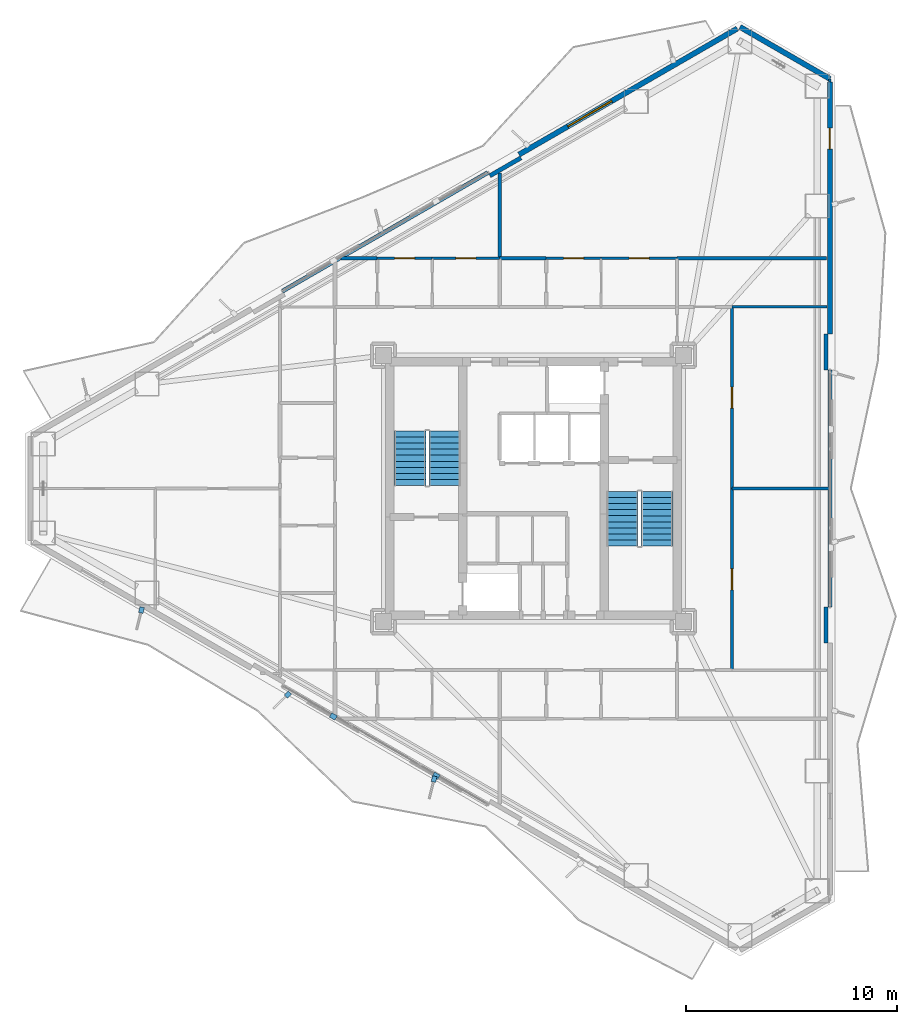
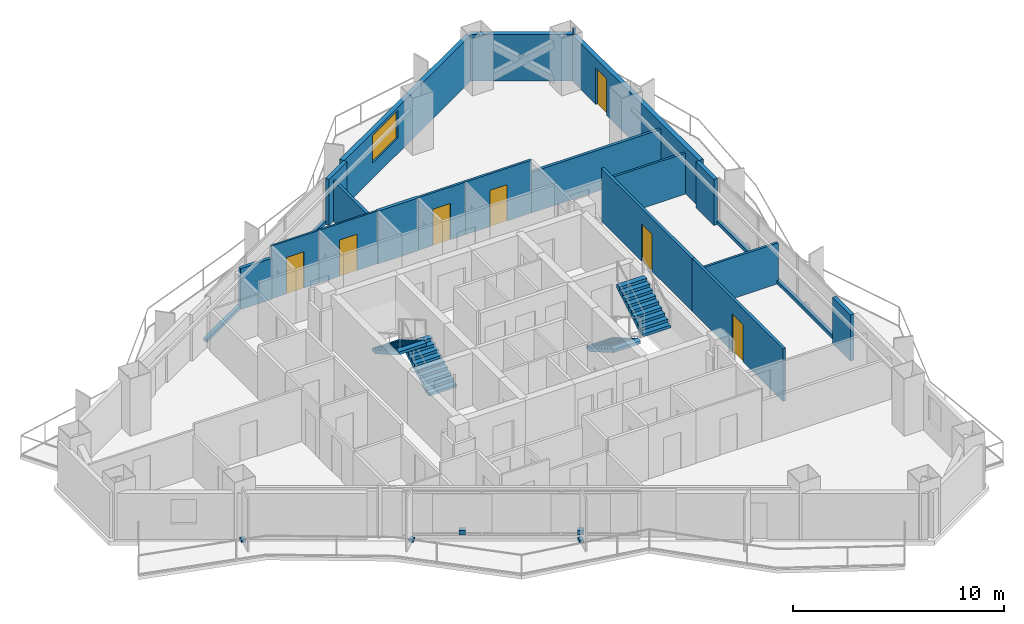
# One storey, part 19 of 22: 21 walls, 7 doors, 5 discrete accessories, 4 stair flights, 1 window, 8 openings, 2 elements without a shape of their own.
"""IFC4 building model written with IfcOpenShell, lengths in metres."""

import ifcopenshell
import ifcopenshell.guid

model = None  # the IFC model being written
_history = None  # IfcOwnerHistory: only IFC2X3 demands one
_inside = {}  # id of a spatial element -> (the spatial element, [elements in it])
_under = {}  # id of a project, library or spatial element -> (it, [spatial elements below it])
_declared = {}  # id of a project -> (the project, [libraries it declares])
_typed = {}  # id of a type object -> (the type object, [elements of that type])
_made_of = {}  # id of a material, layer set ... -> (it, [elements and type objects made of it])


def new_model(schema):
    """Start an empty IFC model of exactly this schema.

    Asked for "IFC4X3", IfcOpenShell would pick the latest addendum, in which some entities
    have other attributes; the version numbers below select the first issue.
    IFC2X3 requires an IfcOwnerHistory on every rooted entity: one is made here for all.
    """
    global model, _history
    if schema == "IFC4X3":
        model = ifcopenshell.file(schema_version=(4, 3, 0, 0))
    else:
        model = ifcopenshell.file(schema=schema)
    _inside.clear()
    _under.clear()
    _declared.clear()
    _typed.clear()
    _made_of.clear()
    _history = None
    if model.schema == "IFC2X3":
        org = make("IfcOrganization", Name="unknown")
        user = make(
            "IfcPersonAndOrganization",
            ThePerson=make("IfcPerson", FamilyName="unknown"),
            TheOrganization=org,
        )
        app = make(
            "IfcApplication",
            ApplicationDeveloper=org,
            Version="unknown",
            ApplicationFullName="unknown",
            ApplicationIdentifier="unknown",
        )
        _history = make(
            "IfcOwnerHistory",
            OwningUser=user,
            OwningApplication=app,
            ChangeAction="ADDED",
            CreationDate=0,
        )
    return model


def make(cls, **values):
    """One entity of the class cls with the attributes given. An attribute that is None is left unset."""
    return model.create_entity(
        cls, **{name: value for name, value in values.items() if value is not None}
    )


def rooted(cls, **values):
    """An entity with a GlobalId (a new one), such as an element, a storey or a relation."""
    return make(cls, GlobalId=ifcopenshell.guid.new(), OwnerHistory=_history, **values)


def si_unit(unit_type, name, prefix=None):
    """IfcSIUnit, for example si_unit("LENGTHUNIT", "METRE", prefix="MILLI")."""
    return make("IfcSIUnit", UnitType=unit_type, Prefix=prefix, Name=name)


def assignment(units):
    """IfcUnitAssignment: the units of a project."""
    return None if units is None else make("IfcUnitAssignment", Units=units)


def point(xyz):
    """IfcCartesianPoint."""
    return None if xyz is None else make("IfcCartesianPoint", Coordinates=xyz)


def direction(xyz):
    """IfcDirection."""
    return None if xyz is None else make("IfcDirection", DirectionRatios=xyz)


def frame(location, z_axis=None, x_axis=None):
    """IfcAxis2Placement3D, a coordinate frame: its origin and axes. An axis left out is left unset."""
    return make(
        "IfcAxis2Placement3D",
        Location=point(location),
        Axis=direction(z_axis),
        RefDirection=direction(x_axis),
    )


def frame_2d(location, x_axis=None):
    """IfcAxis2Placement2D, a coordinate frame in the plane: its origin and x axis."""
    return make(
        "IfcAxis2Placement2D", Location=point(location), RefDirection=direction(x_axis)
    )


def origin():
    """The frame at (0, 0, 0) with its axes left unset."""
    return frame((0.0, 0.0, 0.0))


def origin_2d():
    """The frame at (0, 0) in the plane with its x axis left unset."""
    return frame_2d((0.0, 0.0))


def place(relative_to, where):
    """IfcLocalPlacement: puts the frame where relative to a parent placement (None: the world)."""
    return make(
        "IfcLocalPlacement", PlacementRelTo=relative_to, RelativePlacement=where
    )


def context(
    kind, dimensions, precision=None, world=None, true_north=None, identifier=None
):
    """IfcGeometricRepresentationContext, for example the 3D "Model" context."""
    return make(
        "IfcGeometricRepresentationContext",
        ContextIdentifier=identifier,
        ContextType=kind,
        CoordinateSpaceDimension=dimensions,
        Precision=precision,
        WorldCoordinateSystem=world,
        TrueNorth=true_north,
    )


def subcontext(parent, identifier, kind, view, scale=None):
    """IfcGeometricRepresentationSubContext, for example "Body" below "Model"."""
    return make(
        "IfcGeometricRepresentationSubContext",
        ContextIdentifier=identifier,
        ContextType=kind,
        ParentContext=parent,
        TargetScale=scale,
        TargetView=view,
    )


def project(units=None, contexts=None):
    """IfcProject with its units and contexts."""
    return rooted(
        "IfcProject",
        Name="project",
        RepresentationContexts=contexts,
        UnitsInContext=assignment(units),
    )


def spatial(cls, under=None, at=None, **own):
    """A site, building, storey or space (cls), placed at a placement, below another one or the project."""
    s = rooted(cls, ObjectPlacement=at, **own)
    if under is not None:
        _under.setdefault(under.id(), (under, []))[1].append(s)
    return s


def polyline(points):
    """IfcPolyline through the points."""
    return make("IfcPolyline", Points=[point(p) for p in points])


def profile(cls, at=None, kind="AREA", **sizes):
    """A parametric profile (cls). Its sizes go by their IFC names, for example OverallWidth=200.0."""
    return make(cls, ProfileType=kind, Position=at, **sizes)


def rectangle(**sizes):
    """IfcRectangleProfileDef."""
    return profile("IfcRectangleProfileDef", **sizes)


def outline(outer, holes=None, kind="AREA"):
    """IfcArbitraryClosedProfileDef: a profile drawn as a closed curve; with holes, ...WithVoids."""
    if holes is None:
        return make("IfcArbitraryClosedProfileDef", ProfileType=kind, OuterCurve=outer)
    return make(
        "IfcArbitraryProfileDefWithVoids",
        ProfileType=kind,
        OuterCurve=outer,
        InnerCurves=holes,
    )


def extrude(swept, where, along, depth):
    """IfcExtrudedAreaSolid: the profile swept, set in the frame where, extruded along a direction by depth."""
    return make(
        "IfcExtrudedAreaSolid",
        SweptArea=swept,
        Position=where,
        ExtrudedDirection=direction(along),
        Depth=depth,
    )


def shape(context_of_items, identifier, shape_type, items):
    """IfcShapeRepresentation: the items that make up one representation, for example the "Body"."""
    return make(
        "IfcShapeRepresentation",
        ContextOfItems=context_of_items,
        RepresentationIdentifier=identifier,
        RepresentationType=shape_type,
        Items=items,
    )


def material(Name=None, Category=None):
    """IfcMaterial."""
    return make("IfcMaterial", Name=Name, Category=Category)


def layer(
    of_material, thickness, ventilated=None, Name=None, Category=None, Priority=None
):
    """IfcMaterialLayer: one layer of a wall or slab, of a material (None: an air gap)."""
    return make(
        "IfcMaterialLayer",
        Material=of_material,
        LayerThickness=thickness,
        IsVentilated=ventilated,
        Name=Name,
        Category=Category,
        Priority=Priority,
    )


def layer_set(layers, Name=None):
    """IfcMaterialLayerSet."""
    return make("IfcMaterialLayerSet", MaterialLayers=layers, LayerSetName=Name)


def made_of(thing, what):
    """Note that an element or type object is made of a material, layer set ...; save() writes the relation."""
    if what is not None:
        _made_of.setdefault(what.id(), (what, []))[1].append(thing)
    return thing


def type_object(cls, material=None, **own):
    """A type object (cls), such as IfcWallType, which elements share."""
    return made_of(rooted(cls, **own), material)


def element(
    cls,
    number,
    at=None,
    inside=None,
    cuts=None,
    type_object=None,
    material=None,
    context=None,
    identifier="Body",
    shape_type=None,
    held_by="IfcProductDefinitionShape",
    body=None,
    shapes=None,
    **own,
):
    """One element of the class cls, such as IfcWall. Its Tag is "e" and its number.

    at: its placement. inside: the storey or other place that contains it. cuts: it is an
    opening in that element (IfcRelVoidsElement). A single representation is given by context,
    identifier, shape_type and body (its items); several are given by shapes. held_by: the class
    of the entity that holds the representations. save() writes the other relations.
    """
    e = rooted(cls, Tag="e%d" % number, ObjectPlacement=at, **own)
    if body is not None:
        shapes = [shape(context, identifier, shape_type, body)]
    if shapes is not None:
        e.Representation = make(held_by, Representations=shapes)
    if inside is not None:
        _inside.setdefault(inside.id(), (inside, []))[1].append(e)
    if cuts is not None:
        rooted(
            "IfcRelVoidsElement", RelatingBuildingElement=cuts, RelatedOpeningElement=e
        )
    if type_object is not None:
        _typed.setdefault(type_object.id(), (type_object, []))[1].append(e)
    return made_of(e, material)


def fill(opening, filler):
    """IfcRelFillsElement: the door or window that sits in an opening."""
    return rooted(
        "IfcRelFillsElement",
        RelatingOpeningElement=opening,
        RelatedBuildingElement=filler,
    )


def aggregate(whole, parts):
    """IfcRelAggregates: a whole, such as a stair, and the parts it consists of."""
    return rooted("IfcRelAggregates", RelatingObject=whole, RelatedObjects=parts)


def save(model, path):
    """Write the relations noted so far, then the file.

    IfcRelAggregates (storeys below a building ...), IfcRelContainedInSpatialStructure (elements
    in a storey), IfcRelDefinesByType, IfcRelAssociatesMaterial and IfcRelDeclares: one each for
    every whole, place, type object, material and project.
    """
    for whole, parts in _under.values():
        aggregate(whole, parts)
    for where, things in _inside.values():
        rooted(
            "IfcRelContainedInSpatialStructure",
            RelatedElements=things,
            RelatingStructure=where,
        )
    for kind, things in _typed.values():
        rooted("IfcRelDefinesByType", RelatedObjects=things, RelatingType=kind)
    for what, things in _made_of.values():
        rooted("IfcRelAssociatesMaterial", RelatedObjects=things, RelatingMaterial=what)
    for by, libraries in _declared.values():
        rooted("IfcRelDeclares", RelatingContext=by, RelatedDefinitions=libraries)
    model.write(path)


model = new_model("IFC4")

# Units and contexts
model_context = context("Model", 3, precision=1e-05, world=origin(), true_north=direction((0.0, 1.0)))
body_context = subcontext(model_context, "Body", "Model", "MODEL_VIEW")
ifc_project = project(units=[si_unit("LENGTHUNIT", "METRE"), si_unit("AREAUNIT", "SQUARE_METRE"), si_unit("VOLUMEUNIT", "CUBIC_METRE"), si_unit("PLANEANGLEUNIT", "RADIAN"), si_unit("MASSUNIT", "GRAM", prefix="KILO")], contexts=[model_context])

# Site, building, storey
site_placement = place(None, origin())
site = spatial("IfcSite", under=ifc_project, at=site_placement, CompositionType="ELEMENT")
building_placement = place(site_placement, origin())
building = spatial("IfcBuilding", under=site, at=building_placement, Name="Mersakhor Tower and Convention Hall", CompositionType="ELEMENT")
storey_placement = place(building_placement, frame((0.0, 0.0, 99.89990234375)))
storey = spatial("IfcBuildingStorey", under=building, at=storey_placement, Name="L27", CompositionType="ELEMENT", Elevation=99.89990234375)

# Wall
ifc_material_1 = material(Name="Precast concrete C40/50", Category="concrete")
ifc_layer_1 = layer(ifc_material_1, 0.25)
ifc_layer_set_1 = layer_set([ifc_layer_1], Name="Precast concrete C40/50")
wall_type_1 = type_object("IfcWallType", Name="WL-EXT-250", PredefinedType="SOLIDWALL", material=ifc_layer_set_1)
wall_1_placement = place(storey_placement, frame((38.77880859375, 48.6015625, 0.0), z_axis=(0.0, 0.0, 1.0), x_axis=(0.866011848704, -0.500023477353, 0.0)))
element("IfcWall", 1, at=wall_1_placement, inside=storey, type_object=wall_type_1, Name="L27 Chamfer Braced Spandrel Wall C1", PredefinedType="SOLIDWALL", context=body_context, shape_type="SweptSolid", body=[
    extrude(rectangle(XDim=4.914306640625, YDim=0.25, at=frame_2d((2.45703125, 0.0))), origin(), (0.0, 0.0, 1.0), 2.670166015625),
])

# Wall, opening, window
wall_2_placement = place(storey_placement, frame((28.3173828125, 42.561767578125, 0.0), z_axis=(0.0, 0.0, 1.0), x_axis=(0.866023023012, 0.500004123596, 0.0)))
wall_2 = element("IfcWall", 2, at=wall_2_placement, inside=storey, type_object=wall_type_1, Name="L27 Exterior Facade Wall F1-B3", PredefinedType="SOLIDWALL", context=body_context, shape_type="SweptSolid", body=[
    extrude(rectangle(XDim=11.9296875, YDim=0.25, at=frame_2d((5.96484375, 0.0))), origin(), (0.0, 0.0, 1.0), 2.670166015625),
])
opening_1_placement = place(wall_2_placement, frame((2.66796875, 0.0, 0.89990234375)))
opening_1 = element("IfcOpeningElement", 3, at=opening_1_placement, cuts=wall_2, Name="Opening W-05", PredefinedType="OPENING", context=body_context, shape_type="SweptSolid", body=[
    extrude(rectangle(XDim=2.39990234375, YDim=1.60009765625, at=frame_2d((1.199951171875, 0.800048828125))), frame((0.0, 0.135009765625, 0.0), z_axis=(0.0, -1.0, 0.0), x_axis=(1.0, 0.0, 0.0)), (0.0, 0.0, 1.0), 0.27001953125),
])
ifc_material_2 = material(Name="Dark solar low-E glazed aluminium window", Category="aluminium")
window_type = type_object("IfcWindowType", Name="WN-RES-240x160", PartitioningType="SINGLE_PANEL", PredefinedType="WINDOW", material=ifc_material_2)
window_placement = place(opening_1_placement, origin())
window = element("IfcWindow", 4, at=window_placement, inside=storey, type_object=window_type, Name="L27 Facade Punched Window F1-B3", OverallHeight=1.60009765625, OverallWidth=2.39990234375, PartitioningType="SINGLE_PANEL", PredefinedType="WINDOW", context=body_context, shape_type="SweptSolid", body=[
    extrude(rectangle(XDim=2.39990234375, YDim=1.60009765625, at=frame_2d((1.199951171875, 0.800048828125))), frame((0.0, 0.030029296875, 0.0), z_axis=(0.0, -1.0, 0.0), x_axis=(1.0, 0.0, 0.0)), (0.0, 0.0, 1.0), 0.06005859375),
])
fill(opening_1, window)

# Wall, opening, door
wall_3_placement = place(storey_placement, frame((43.03466796875, 45.994384765625, 0.0), z_axis=(0.0, 0.0, 1.0), x_axis=(0.0, -1.0, 0.0)))
wall_3 = element("IfcWall", 5, at=wall_3_placement, inside=storey, type_object=wall_type_1, Name="L27 Exterior Facade Wall F2-B1", PredefinedType="SOLIDWALL", context=body_context, shape_type="SweptSolid", body=[
    extrude(rectangle(XDim=11.9296875, YDim=0.25, at=frame_2d((5.96484375, 0.0))), origin(), (0.0, 0.0, 1.0), 2.670166015625),
])
opening_2_placement = place(wall_3_placement, frame((2.176025390625, 0.0, 0.0)))
opening_2 = element("IfcOpeningElement", 6, at=opening_2_placement, cuts=wall_3, Name="Opening BD-01", PredefinedType="OPENING", context=body_context, shape_type="SweptSolid", body=[
    extrude(rectangle(XDim=1.0, YDim=2.10009765625, at=frame_2d((0.5, 1.050048828125))), frame((0.0, 0.135009765625, 0.0), z_axis=(0.0, -1.0, 0.0), x_axis=(1.0, 0.0, 0.0)), (0.0, 0.0, 1.0), 0.27001953125),
])
ifc_material_3 = material(Name="Thermally broken dark aluminium and safety glass", Category="aluminium")
door_type_1 = type_object("IfcDoorType", Name="DR-BAL-100x210", OperationType="NOTDEFINED", PredefinedType="DOOR", material=ifc_material_3)
door_1_placement = place(opening_2_placement, origin())
door_1 = element("IfcDoor", 7, at=door_1_placement, inside=storey, type_object=door_type_1, Name="L27 Balcony Terrace Door F2-B1", OperationType="SINGLE_SWING_LEFT", OverallHeight=2.10009765625, OverallWidth=1.0, PredefinedType="DOOR", context=body_context, shape_type="SweptSolid", body=[
    extrude(rectangle(XDim=1.0, YDim=2.10009765625, at=frame_2d((0.5, 1.050048828125))), frame((0.0, 0.02490234375, 0.0), z_axis=(0.0, -1.0, 0.0), x_axis=(1.0, 0.0, 0.0)), (0.0, 0.0, 1.0), 0.050048828125),
])
fill(opening_2, door_1)

# Walls
ifc_material_4 = material(Name="Precast concrete C40/50", Category="concrete")
ifc_layer_2 = layer(ifc_material_4, 0.199951171875)
ifc_layer_set_2 = layer_set([ifc_layer_2], Name="Precast concrete C40/50")
wall_type_2 = type_object("IfcWallType", Name="WL-PAR-200", PredefinedType="PARAPET", material=ifc_layer_set_2)
wall_4_placement = place(storey_placement, frame((17.1201171875, 36.096923828125, 0.0), z_axis=(0.0, 0.0, 1.0), x_axis=(0.866027010039, 0.499997217876, 0.0)))
element("IfcWall", 8, at=wall_4_placement, inside=storey, type_object=wall_type_2, Name="L27 Curtain Wall Upstand Sill F1-B2", PredefinedType="PARAPET", context=body_context, shape_type="SweptSolid", body=[
    extrude(rectangle(XDim=11.2294921875, YDim=0.199951171875, at=frame_2d((5.61474609375, 0.0))), origin(), (0.0, 0.0, 1.0), 0.2001953125),
])
wall_5_placement = place(storey_placement, frame((26.935302734375, 41.555908203125, 0.0), z_axis=(0.0, 0.0, 1.0), x_axis=(0.86605165483, 0.499954529098, 0.0)))
element("IfcWall", 9, at=wall_5_placement, inside=storey, type_object=wall_type_2, Name="L27 Column Pier Cladding Wall F1-C2", PredefinedType="PARAPET", context=body_context, shape_type="SweptSolid", body=[
    extrude(rectangle(XDim=1.699951171875, YDim=0.199951171875, at=frame_2d((0.85009765625, 0.0))), origin(), (0.0, 0.0, 1.0), 2.670166015625),
])
wall_6_placement = place(storey_placement, frame((43.03466796875, 32.36474609375, 0.0), z_axis=(0.0, 0.0, 1.0), x_axis=(0.0, -1.0, 0.0)))
element("IfcWall", 10, at=wall_6_placement, inside=storey, type_object=wall_type_2, Name="L27 Curtain Wall Upstand Sill F2-B2", PredefinedType="PARAPET", context=body_context, shape_type="SweptSolid", body=[
    extrude(rectangle(XDim=11.2294921875, YDim=0.199951171875, at=frame_2d((5.61474609375, 0.0))), origin(), (0.0, 0.0, 1.0), 0.2001953125),
])
for number, where, z_axis, x_axis, name in (
    (11, (42.8544921875, 34.064697265625, 0.0), (0.0, 0.0, 1.0), (0.0, -1.0, 0.0), "L27 Column Pier Cladding Wall F2-C1"),
    (12, (42.8544921875, 21.13525390625, 0.0), (0.0, 0.0, 1.0), (0.0, -1.0, 0.0), "L27 Column Pier Cladding Wall F2-C2"),
):
    element("IfcWall", number, at=place(storey_placement, frame(where, z_axis=z_axis, x_axis=x_axis)), inside=storey, type_object=wall_type_2, Name=name, PredefinedType="PARAPET", context=body_context, shape_type="SweptSolid", body=[
        extrude(rectangle(XDim=1.699951171875, YDim=0.199951171875, at=frame_2d((0.85009765625, 0.0))), origin(), (0.0, 0.0, 1.0), 2.670166015625),
    ])
ifc_material_5 = material(Name="Moisture-resistant acoustic drywall studwork", Category="other")
ifc_layer_3 = layer(ifc_material_5, 0.175048828125)
ifc_layer_set_3 = layer_set([ifc_layer_3], Name="Moisture-resistant acoustic drywall studwork")
wall_type_3 = type_object("IfcWallType", Name="WL-PLM-175", PredefinedType="PLUMBINGWALL", material=ifc_layer_set_3)
wall_7_placement = place(storey_placement, frame((19.87548828125, 37.64990234375, 0.0), z_axis=(0.0, 0.0, 1.0), x_axis=(1.0, 0.0, 0.0)))
element("IfcWall", 13, at=wall_7_placement, inside=storey, type_object=wall_type_3, Name="L27 Interior Partition Wall P-077", PredefinedType="PLUMBINGWALL", context=body_context, shape_type="SweptSolid", body=[
    extrude(rectangle(XDim=1.724609375, YDim=0.175048828125, at=frame_2d((0.8623046875, 0.0))), origin(), (0.0, 0.0, 1.0), 2.364990234375),
])
wall_8_placement = place(storey_placement, frame((27.39990234375, 37.64990234375, 0.0), z_axis=(0.0, 0.0, 1.0), x_axis=(1.0, 0.0, 0.0)))
element("IfcWall", 14, at=wall_8_placement, inside=storey, type_object=wall_type_3, Name="L27 Interior Partition Wall P-080", PredefinedType="PLUMBINGWALL", context=body_context, shape_type="SweptSolid", body=[
    extrude(rectangle(XDim=2.2001953125, YDim=0.175048828125, at=frame_2d((1.10009765625, 0.0))), origin(), (0.0, 0.0, 1.0), 3.050048828125),
])

# Wall, opening, door
ifc_material_6 = material(Name="Lightweight gypsum partition", Category="other")
ifc_layer_4 = layer(ifc_material_6, 0.10009765625)
ifc_layer_set_4 = layer_set([ifc_layer_4], Name="Lightweight gypsum partition")
wall_type_4 = type_object("IfcWallType", Name="WL-PRT-100", PredefinedType="PARTITIONING", material=ifc_layer_set_4)
wall_9_placement = place(storey_placement, frame((21.60009765625, 37.64990234375, 0.0), z_axis=(0.0, 0.0, 1.0), x_axis=(1.0, 0.0, 0.0)))
wall_9 = element("IfcWall", 15, at=wall_9_placement, inside=storey, type_object=wall_type_4, Name="L27 Interior Partition Wall P-060", PredefinedType="PARTITIONING", context=body_context, shape_type="SweptSolid", body=[
    extrude(rectangle(XDim=2.599853515625, YDim=0.10009765625, at=frame_2d((1.2998046875, 0.0))), origin(), (0.0, 0.0, 1.0), 3.050048828125),
])
opening_3_placement = place(wall_9_placement, frame((0.824951171875, 0.0, 0.0)))
opening_3 = element("IfcOpeningElement", 16, at=opening_3_placement, cuts=wall_9, Name="Opening RD-01", PredefinedType="OPENING", context=body_context, shape_type="SweptSolid", body=[
    extrude(rectangle(XDim=0.949951171875, YDim=2.10009765625, at=frame_2d((0.47509765625, 1.050048828125))), frame((0.0, 0.06005859375, 0.0), z_axis=(0.0, -1.0, 0.0), x_axis=(1.0, 0.0, 0.0)), (0.0, 0.0, 1.0), 0.1201171875),
])
ifc_material_7 = material(Name="Solid-core hardwood leaf in painted steel frame", Category="steel")
door_type_2 = type_object("IfcDoorType", Name="DR-INT-RM-095x210", OperationType="NOTDEFINED", PredefinedType="DOOR", material=ifc_material_7)
door_2_placement = place(opening_3_placement, origin())
door_2 = element("IfcDoor", 17, at=door_2_placement, inside=storey, type_object=door_type_2, Name="L27 L27 Flat N1 Apartment Hall to L27 Flat N1 Studio Living and Sleeping Room Door", OperationType="SINGLE_SWING_LEFT", OverallHeight=2.10009765625, OverallWidth=0.949951171875, PredefinedType="DOOR", context=body_context, shape_type="SweptSolid", body=[
    extrude(rectangle(XDim=0.949951171875, YDim=2.10009765625, at=frame_2d((0.47509765625, 1.050048828125))), frame((0.0, 0.02490234375, 0.0), z_axis=(0.0, -1.0, 0.0), x_axis=(1.0, 0.0, 0.0)), (0.0, 0.0, 1.0), 0.050048828125),
])
fill(opening_3, door_2)

wall_10_placement = place(storey_placement, frame((24.199951171875, 37.64990234375, 0.0), z_axis=(0.0, 0.0, 1.0), x_axis=(1.0, 0.0, 0.0)))
wall_10 = element("IfcWall", 18, at=wall_10_placement, inside=storey, type_object=wall_type_4, Name="L27 Interior Partition Wall P-078", PredefinedType="PARTITIONING", context=body_context, shape_type="SweptSolid", body=[
    extrude(rectangle(XDim=3.199951171875, YDim=0.10009765625, at=frame_2d((1.60009765625, 0.0))), origin(), (0.0, 0.0, 1.0), 3.050048828125),
])
opening_4_placement = place(wall_10_placement, frame((1.125, 0.0, 0.0)))
opening_4 = element("IfcOpeningElement", 19, at=opening_4_placement, cuts=wall_10, Name="Opening RD-01", PredefinedType="OPENING", context=body_context, shape_type="SweptSolid", body=[
    extrude(rectangle(XDim=0.949951171875, YDim=2.10009765625, at=frame_2d((0.47509765625, 1.050048828125))), frame((0.0, 0.06005859375, 0.0), z_axis=(0.0, -1.0, 0.0), x_axis=(1.0, 0.0, 0.0)), (0.0, 0.0, 1.0), 0.1201171875),
])
door_3_placement = place(opening_4_placement, origin())
door_3 = element("IfcDoor", 20, at=door_3_placement, inside=storey, type_object=door_type_2, Name="L27 L27 Flat N1 Kitchen to L27 Flat N1 Studio Living and Sleeping Room Door", OperationType="SINGLE_SWING_LEFT", OverallHeight=2.10009765625, OverallWidth=0.949951171875, PredefinedType="DOOR", context=body_context, shape_type="SweptSolid", body=[
    extrude(rectangle(XDim=0.949951171875, YDim=2.10009765625, at=frame_2d((0.47509765625, 1.050048828125))), frame((0.0, 0.02490234375, 0.0), z_axis=(0.0, -1.0, 0.0), x_axis=(1.0, 0.0, 0.0)), (0.0, 0.0, 1.0), 0.050048828125),
])
fill(opening_4, door_3)

ifc_material_8 = material(Name="Gypsum board acoustic partition", Category="other")
ifc_layer_5 = layer(ifc_material_8, 0.125)
ifc_layer_set_5 = layer_set([ifc_layer_5], Name="Gypsum board acoustic partition")
wall_type_5 = type_object("IfcWallType", Name="WL-PRT-125", PredefinedType="PARTITIONING", material=ifc_layer_set_5)
wall_11_placement = place(storey_placement, frame((29.60009765625, 37.64990234375, 0.0), z_axis=(0.0, 0.0, 1.0), x_axis=(1.0, 0.0, 0.0)))
wall_11 = element("IfcWall", 21, at=wall_11_placement, inside=storey, type_object=wall_type_5, Name="L27 Interior Partition Wall P-063", PredefinedType="PARTITIONING", context=body_context, shape_type="SweptSolid", body=[
    extrude(rectangle(XDim=2.599853515625, YDim=0.125, at=frame_2d((1.2998046875, 0.0))), origin(), (0.0, 0.0, 1.0), 3.050048828125),
])
opening_5_placement = place(wall_11_placement, frame((0.824951171875, 0.0, 0.0)))
opening_5 = element("IfcOpeningElement", 22, at=opening_5_placement, cuts=wall_11, Name="Opening RD-01", PredefinedType="OPENING", context=body_context, shape_type="SweptSolid", body=[
    extrude(rectangle(XDim=0.949951171875, YDim=2.10009765625, at=frame_2d((0.47509765625, 1.050048828125))), frame((0.0, 0.072509765625, 0.0), z_axis=(0.0, -1.0, 0.0), x_axis=(1.0, 0.0, 0.0)), (0.0, 0.0, 1.0), 0.14501953125),
])
door_4_placement = place(opening_5_placement, origin())
door_4 = element("IfcDoor", 23, at=door_4_placement, inside=storey, type_object=door_type_2, Name="L27 L27 Flat N2 Apartment Hall to L27 Flat N2 Studio Living and Sleeping Room Door", OperationType="SINGLE_SWING_RIGHT", OverallHeight=2.10009765625, OverallWidth=0.949951171875, PredefinedType="DOOR", context=body_context, shape_type="SweptSolid", body=[
    extrude(rectangle(XDim=0.949951171875, YDim=2.10009765625, at=frame_2d((0.47509765625, 1.050048828125))), frame((0.0, 0.02490234375, 0.0), z_axis=(0.0, -1.0, 0.0), x_axis=(1.0, 0.0, 0.0)), (0.0, 0.0, 1.0), 0.050048828125),
])
fill(opening_5, door_4)

wall_12_placement = place(storey_placement, frame((32.199951171875, 37.64990234375, 0.0), z_axis=(0.0, 0.0, 1.0), x_axis=(1.0, 0.0, 0.0)))
wall_12 = element("IfcWall", 24, at=wall_12_placement, inside=storey, type_object=wall_type_5, Name="L27 Interior Partition Wall P-081", PredefinedType="PARTITIONING", context=body_context, shape_type="SweptSolid", body=[
    extrude(rectangle(XDim=3.60009765625, YDim=0.125, at=frame_2d((1.800048828125, 0.0))), origin(), (0.0, 0.0, 1.0), 3.050048828125),
])
opening_6_placement = place(wall_12_placement, frame((1.324951171875, 0.0, 0.0)))
opening_6 = element("IfcOpeningElement", 25, at=opening_6_placement, cuts=wall_12, Name="Opening RD-01", PredefinedType="OPENING", context=body_context, shape_type="SweptSolid", body=[
    extrude(rectangle(XDim=0.949951171875, YDim=2.10009765625, at=frame_2d((0.47509765625, 1.050048828125))), frame((0.0, 0.072509765625, 0.0), z_axis=(0.0, -1.0, 0.0), x_axis=(1.0, 0.0, 0.0)), (0.0, 0.0, 1.0), 0.14501953125),
])
door_5_placement = place(opening_6_placement, origin())
door_5 = element("IfcDoor", 26, at=door_5_placement, inside=storey, type_object=door_type_2, Name="L27 L27 Flat N2 Kitchen to L27 Flat N2 Studio Living and Sleeping Room Door", OperationType="SINGLE_SWING_RIGHT", OverallHeight=2.10009765625, OverallWidth=0.949951171875, PredefinedType="DOOR", context=body_context, shape_type="SweptSolid", body=[
    extrude(rectangle(XDim=0.949951171875, YDim=2.10009765625, at=frame_2d((0.47509765625, 1.050048828125))), frame((0.0, 0.02490234375, 0.0), z_axis=(0.0, -1.0, 0.0), x_axis=(1.0, 0.0, 0.0)), (0.0, 0.0, 1.0), 0.050048828125),
])
fill(opening_6, door_5)

# Walls
wall_13_placement = place(storey_placement, frame((42.885498046875, 35.35009765625, 0.0), z_axis=(0.0, 0.0, 1.0), x_axis=(-1.0, 0.0, 0.0)))
element("IfcWall", 27, at=wall_13_placement, inside=storey, type_object=wall_type_5, Name="L27 Interior Partition Wall P-095", PredefinedType="PARTITIONING", context=body_context, shape_type="SweptSolid", body=[
    extrude(rectangle(XDim=4.485595703125, YDim=0.125, at=frame_2d((2.24267578125, 0.0))), origin(), (0.0, 0.0, 1.0), 2.364990234375),
])
wall_14_placement = place(storey_placement, frame((42.99853515625, 26.75, 0.0), z_axis=(0.0, 0.0, 1.0), x_axis=(-1.0, 0.0, 0.0)))
element("IfcWall", 28, at=wall_14_placement, inside=storey, type_object=wall_type_5, Name="L27 Interior Partition Wall P-103", PredefinedType="PARTITIONING", context=body_context, shape_type="SweptSolid", body=[
    extrude(rectangle(XDim=4.5986328125, YDim=0.125, at=frame_2d((2.29931640625, 0.0))), origin(), (0.0, 0.0, 1.0), 2.364990234375),
])
wall_15_placement = place(storey_placement, frame((43.034912109375, 46.14404296875, 0.0), z_axis=(0.0, 0.0, 1.0), x_axis=(0.0, -1.0, 0.0)))
element("IfcWall", 29, at=wall_15_placement, inside=storey, type_object=wall_type_5, Name="L27 Interior Partition Wall P-105", PredefinedType="PARTITIONING", context=body_context, shape_type="SweptSolid", body=[
    extrude(rectangle(XDim=0.149658203125, YDim=0.125, at=frame_2d((0.07470703125, 0.0))), origin(), (0.0, 0.0, 1.0), 3.050048828125),
])

# Wall, opening, door
ifc_material_9 = material(Name="Fire-rated gypsum board stud partition", Category="other")
ifc_layer_6 = layer(ifc_material_9, 0.14990234375)
ifc_layer_set_6 = layer_set([ifc_layer_6], Name="Fire-rated gypsum board stud partition")
wall_type_6 = type_object("IfcWallType", Name="WL-PRT-150", PredefinedType="PARTITIONING", material=ifc_layer_set_6)
wall_16_placement = place(storey_placement, frame((38.39990234375, 35.35009765625, 0.0), z_axis=(0.0, 0.0, 1.0), x_axis=(0.0, -1.0, 0.0)))
wall_16 = element("IfcWall", 30, at=wall_16_placement, inside=storey, type_object=wall_type_6, Name="L27 Interior Partition Wall P-055", PredefinedType="PARTITIONING", context=body_context, shape_type="SweptSolid", body=[
    extrude(rectangle(XDim=8.60009765625, YDim=0.14990234375, at=frame_2d((4.300048828125, 0.0))), origin(), (0.0, 0.0, 1.0), 3.050048828125),
])
opening_7_placement = place(wall_16_placement, frame((3.800048828125, 0.0, 0.0)))
opening_7 = element("IfcOpeningElement", 31, at=opening_7_placement, cuts=wall_16, Name="Opening FD-01", PredefinedType="OPENING", context=body_context, shape_type="SweptSolid", body=[
    extrude(rectangle(XDim=1.0, YDim=2.14990234375, at=frame_2d((0.5, 1.074951171875))), frame((0.0, 0.0849609375, 0.0), z_axis=(0.0, -1.0, 0.0), x_axis=(1.0, 0.0, 0.0)), (0.0, 0.0, 1.0), 0.169921875),
])
ifc_material_10 = material(Name="Fire-rated hardwood leaf and painted steel frame", Category="steel")
door_type_3 = type_object("IfcDoorType", Name="DR-INT-FLT-100x215", OperationType="NOTDEFINED", PredefinedType="DOOR", material=ifc_material_10)
door_6_placement = place(opening_7_placement, origin())
door_6 = element("IfcDoor", 32, at=door_6_placement, inside=storey, type_object=door_type_3, Name="L27 Residential Ring East Corridor to L27 East Wing Craft Teaching Workshop Door", OperationType="SINGLE_SWING_LEFT", OverallHeight=2.14990234375, OverallWidth=1.0, PredefinedType="DOOR", context=body_context, shape_type="SweptSolid", body=[
    extrude(rectangle(XDim=1.0, YDim=2.14990234375, at=frame_2d((0.5, 1.074951171875))), frame((0.0, 0.02490234375, 0.0), z_axis=(0.0, -1.0, 0.0), x_axis=(1.0, 0.0, 0.0)), (0.0, 0.0, 1.0), 0.050048828125),
])
fill(opening_7, door_6)

wall_17_placement = place(storey_placement, frame((38.39990234375, 26.75, 0.0), z_axis=(0.0, 0.0, 1.0), x_axis=(0.0, -1.0, 0.0)))
wall_17 = element("IfcWall", 33, at=wall_17_placement, inside=storey, type_object=wall_type_6, Name="L27 Interior Partition Wall P-056", PredefinedType="PARTITIONING", context=body_context, shape_type="SweptSolid", body=[
    extrude(rectangle(XDim=8.60009765625, YDim=0.14990234375, at=frame_2d((4.300048828125, 0.0))), origin(), (0.0, 0.0, 1.0), 3.050048828125),
])
opening_8_placement = place(wall_17_placement, frame((3.800048828125, 0.0, 0.0)))
opening_8 = element("IfcOpeningElement", 34, at=opening_8_placement, cuts=wall_17, Name="Opening FD-01", PredefinedType="OPENING", context=body_context, shape_type="SweptSolid", body=[
    extrude(rectangle(XDim=1.0, YDim=2.14990234375, at=frame_2d((0.5, 1.074951171875))), frame((0.0, 0.0849609375, 0.0), z_axis=(0.0, -1.0, 0.0), x_axis=(1.0, 0.0, 0.0)), (0.0, 0.0, 1.0), 0.169921875),
])
door_7_placement = place(opening_8_placement, origin())
door_7 = element("IfcDoor", 35, at=door_7_placement, inside=storey, type_object=door_type_3, Name="L27 Residential Ring East Corridor to L27 East Wing Co-Working Office Door", OperationType="SINGLE_SWING_RIGHT", OverallHeight=2.14990234375, OverallWidth=1.0, PredefinedType="DOOR", context=body_context, shape_type="SweptSolid", body=[
    extrude(rectangle(XDim=1.0, YDim=2.14990234375, at=frame_2d((0.5, 1.074951171875))), frame((0.0, 0.02490234375, 0.0), z_axis=(0.0, -1.0, 0.0), x_axis=(1.0, 0.0, 0.0)), (0.0, 0.0, 1.0), 0.050048828125),
])
fill(opening_8, door_7)

# Walls
wall_18_placement = place(storey_placement, frame((35.800048828125, 37.64990234375, 0.0), z_axis=(0.0, 0.0, 1.0), x_axis=(1.0, 0.0, 0.0)))
element("IfcWall", 36, at=wall_18_placement, inside=storey, type_object=wall_type_6, Name="L27 Interior Partition Wall P-096", PredefinedType="PARTITIONING", context=body_context, shape_type="SweptSolid", body=[
    extrude(rectangle(XDim=7.08544921875, YDim=0.14990234375, at=frame_2d((3.542724609375, 0.0))), origin(), (0.0, 0.0, 1.0), 2.364990234375),
])
wall_19_placement = place(storey_placement, frame((27.39990234375, 41.680908203125, 0.0), z_axis=(0.0, 0.0, 1.0), x_axis=(0.0, -1.0, 0.0)))
element("IfcWall", 37, at=wall_19_placement, inside=storey, type_object=wall_type_6, Name="L27 Interior Partition Wall P-104", PredefinedType="PARTITIONING", context=body_context, shape_type="SweptSolid", body=[
    extrude(rectangle(XDim=4.031005859375, YDim=0.14990234375, at=frame_2d((2.015625, 0.0))), origin(), (0.0, 0.0, 1.0), 2.364990234375),
])

# Stair, stair flights
ifc_material_11 = material(Name="Concrete C45/55", Category="concrete")
stair_type = type_object("IfcStairType", Name="ST-TWR-20R", PredefinedType="HALF_TURN_STAIR", material=ifc_material_11)
stair_1_placement = place(storey_placement, origin())
stair_1 = element("IfcStair", 38, at=stair_1_placement, inside=storey, type_object=stair_type, Name="L27 Tower Protected Exit Stair ST-1", PredefinedType="HALF_TURN_STAIR")
ifc_material_12 = material(Name="Concrete C45/55", Category="concrete")
stair_flight_type = type_object("IfcStairFlightType", Name="SFL-TWR-20R", PredefinedType="STRAIGHT", material=ifc_material_12)
stair_flight_1_placement = place(storey_placement, frame((24.800048828125, 26.89990234375, 0.0), z_axis=(0.0, 0.0, 1.0), x_axis=(0.0, 1.0, 0.0)))
stair_flight_1 = element("IfcStairFlight", 39, at=stair_flight_1_placement, type_object=stair_flight_type, Name="ST-1 flight 1", NumberOfRisers=10, NumberOfTreads=9, PredefinedType="STRAIGHT", RiserHeight=0.165, TreadLength=0.285, context=body_context, shape_type="SweptSolid", body=[
    extrude(outline(polyline([(0.0, 0.0), (0.0, 0.1650390625), (0.284912109375, 0.1650390625), (0.284912109375, 0.330078125), (0.570068359375, 0.330078125), (0.570068359375, 0.4951171875), (0.85498046875, 0.4951171875), (0.85498046875, 0.659912109375), (1.139892578125, 0.659912109375), (1.139892578125, 0.824951171875), (1.425048828125, 0.824951171875), (1.425048828125, 0.989990234375), (1.7099609375, 0.989990234375), (1.7099609375, 1.155029296875), (1.9951171875, 1.155029296875), (1.9951171875, 1.320068359375), (2.280029296875, 1.320068359375), (2.280029296875, 1.485107421875), (2.56494140625, 1.485107421875), (2.56494140625, 1.64990234375), (2.56494140625, 1.311767578125), (0.299072265625, 0.0), (0.0, 0.0)])), frame((0.0, 0.75, 0.0), z_axis=(0.0, -1.0, 0.0), x_axis=(1.0, 0.0, 0.0)), (0.0, 0.0, 1.0), 1.5),
])
stair_flight_2_placement = place(storey_placement, frame((23.14990234375, 29.465087890625, 1.650146484375), z_axis=(0.0, 0.0, 1.0), x_axis=(0.0, -1.0, 0.0)))
stair_flight_2 = element("IfcStairFlight", 40, at=stair_flight_2_placement, type_object=stair_flight_type, Name="ST-1 flight 2", NumberOfRisers=10, NumberOfTreads=9, PredefinedType="STRAIGHT", RiserHeight=0.165, TreadLength=0.285, context=body_context, shape_type="SweptSolid", body=[
    extrude(outline(polyline([(0.0, 0.0), (0.0, 0.1650390625), (0.284912109375, 0.1650390625), (0.284912109375, 0.330078125), (0.570068359375, 0.330078125), (0.570068359375, 0.4951171875), (0.85498046875, 0.4951171875), (0.85498046875, 0.659912109375), (1.139892578125, 0.659912109375), (1.139892578125, 0.824951171875), (1.425048828125, 0.824951171875), (1.425048828125, 0.989990234375), (1.7099609375, 0.989990234375), (1.7099609375, 1.155029296875), (1.9951171875, 1.155029296875), (1.9951171875, 1.320068359375), (2.280029296875, 1.320068359375), (2.280029296875, 1.485107421875), (2.56494140625, 1.485107421875), (2.56494140625, 1.64990234375), (2.56494140625, 1.311767578125), (0.299072265625, 0.0), (0.0, 0.0)])), frame((0.0, 0.75, 0.0), z_axis=(0.0, -1.0, 0.0), x_axis=(1.0, 0.0, 0.0)), (0.0, 0.0, 1.0), 1.5),
])
aggregate(stair_1, [stair_flight_1, stair_flight_2])

stair_2_placement = place(storey_placement, origin())
stair_2 = element("IfcStair", 41, at=stair_2_placement, inside=storey, type_object=stair_type, Name="L27 Tower Protected Exit Stair ST-2", PredefinedType="HALF_TURN_STAIR")
stair_flight_3_placement = place(storey_placement, frame((33.199951171875, 26.60009765625, 0.0), z_axis=(0.0, 0.0, 1.0), x_axis=(0.0, -1.0, 0.0)))
stair_flight_3 = element("IfcStairFlight", 42, at=stair_flight_3_placement, type_object=stair_flight_type, Name="ST-2 flight 1", NumberOfRisers=10, NumberOfTreads=9, PredefinedType="STRAIGHT", RiserHeight=0.165, TreadLength=0.285, context=body_context, shape_type="SweptSolid", body=[
    extrude(outline(polyline([(0.0, 0.0), (0.0, 0.1650390625), (0.284912109375, 0.1650390625), (0.284912109375, 0.330078125), (0.570068359375, 0.330078125), (0.570068359375, 0.4951171875), (0.85498046875, 0.4951171875), (0.85498046875, 0.659912109375), (1.139892578125, 0.659912109375), (1.139892578125, 0.824951171875), (1.425048828125, 0.824951171875), (1.425048828125, 0.989990234375), (1.7099609375, 0.989990234375), (1.7099609375, 1.155029296875), (1.9951171875, 1.155029296875), (1.9951171875, 1.320068359375), (2.280029296875, 1.320068359375), (2.280029296875, 1.485107421875), (2.56494140625, 1.485107421875), (2.56494140625, 1.64990234375), (2.56494140625, 1.311767578125), (0.299072265625, 0.0), (0.0, 0.0)])), frame((0.0, 0.75, 0.0), z_axis=(0.0, -1.0, 0.0), x_axis=(1.0, 0.0, 0.0)), (0.0, 0.0, 1.0), 1.5),
])
stair_flight_4_placement = place(storey_placement, frame((34.85009765625, 24.034912109375, 1.650146484375), z_axis=(0.0, 0.0, 1.0), x_axis=(0.0, 1.0, 0.0)))
stair_flight_4 = element("IfcStairFlight", 43, at=stair_flight_4_placement, type_object=stair_flight_type, Name="ST-2 flight 2", NumberOfRisers=10, NumberOfTreads=9, PredefinedType="STRAIGHT", RiserHeight=0.165, TreadLength=0.285, context=body_context, shape_type="SweptSolid", body=[
    extrude(outline(polyline([(0.0, 0.0), (0.0, 0.1650390625), (0.284912109375, 0.1650390625), (0.284912109375, 0.330078125), (0.570068359375, 0.330078125), (0.570068359375, 0.4951171875), (0.85498046875, 0.4951171875), (0.85498046875, 0.659912109375), (1.139892578125, 0.659912109375), (1.139892578125, 0.824951171875), (1.425048828125, 0.824951171875), (1.425048828125, 0.989990234375), (1.7099609375, 0.989990234375), (1.7099609375, 1.155029296875), (1.9951171875, 1.155029296875), (1.9951171875, 1.320068359375), (2.280029296875, 1.320068359375), (2.280029296875, 1.485107421875), (2.56494140625, 1.485107421875), (2.56494140625, 1.64990234375), (2.56494140625, 1.311767578125), (0.299072265625, 0.0), (0.0, 0.0)])), frame((0.0, 0.75, 0.0), z_axis=(0.0, -1.0, 0.0), x_axis=(1.0, 0.0, 0.0)), (0.0, 0.0, 1.0), 1.5),
])
aggregate(stair_2, [stair_flight_3, stair_flight_4])

# Discrete accessories
ifc_material_13 = material(Name="Galvanised steel bracket", Category="steel")
ifc_layer_7 = layer(ifc_material_13, 0.02001953125)
ifc_layer_set_7 = layer_set([ifc_layer_7], Name="Galvanised steel bracket")
discrete_accessory_type = type_object("IfcDiscreteAccessoryType", Name="ACC-BRK-STL", PredefinedType="BRACKET", material=ifc_layer_set_7)
for number, where, z_axis, x_axis, name in (
    (44, (24.388916015625, 13.148681640625, 0.2900390625), (0.0, 0.0, 1.0), (-0.866025403784, 0.5, 0.0), "L27 Solar Screen Outrigger Bracket BRK-3-1"),
    (45, (19.526611328125, 15.9560546875, 0.2900390625), (0.0, 0.0, 1.0), (-0.866025403784, 0.5, 0.0), "L27 Solar Screen Outrigger Bracket BRK-3-2"),
):
    element("IfcDiscreteAccessory", number, at=place(storey_placement, frame(where, z_axis=z_axis, x_axis=x_axis)), inside=storey, type_object=discrete_accessory_type, Name=name, PredefinedType="BRACKET", context=body_context, shape_type="SweptSolid", body=[
        extrude(rectangle(XDim=0.300048828125, YDim=0.239990234375, at=origin_2d()), origin(), (0.0, 0.0, 1.0), 0.260009765625),
    ])
for number, where, z_axis, x_axis, name in (
    (46, (24.297119140625, 12.993896484375, -0.02001953125), (0.0, 0.0, 1.0), (-0.2419218956, -0.970295726276, 0.0), "L27 Facade Fin Base Cleat Bracket FBRK-3-2"),
    (47, (17.368896484375, 16.993896484375, -0.02001953125), (0.0, 0.0, 1.0), (-0.719339800339, -0.694658370459, 0.0), "L27 Facade Fin Base Cleat Bracket FBRK-3-3"),
    (48, (10.44091796875, 20.993896484375, -0.02001953125), (0.0, 0.0, 1.0), (-0.2419218956, -0.970295726276, 0.0), "L27 Facade Fin Base Cleat Bracket FBRK-3-4"),
):
    element("IfcDiscreteAccessory", number, at=place(storey_placement, frame(where, z_axis=z_axis, x_axis=x_axis)), inside=storey, type_object=discrete_accessory_type, Name=name, PredefinedType="BRACKET", context=body_context, shape_type="SweptSolid", body=[
        extrude(rectangle(XDim=0.280029296875, YDim=0.219970703125, at=origin_2d()), origin(), (0.0, 0.0, 1.0), 0.159912109375),
    ])

save(model, "model.ifc")
